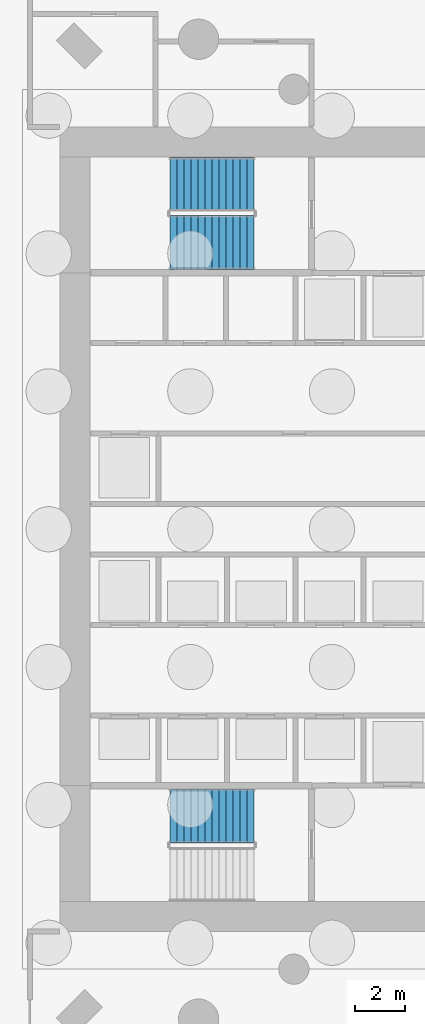
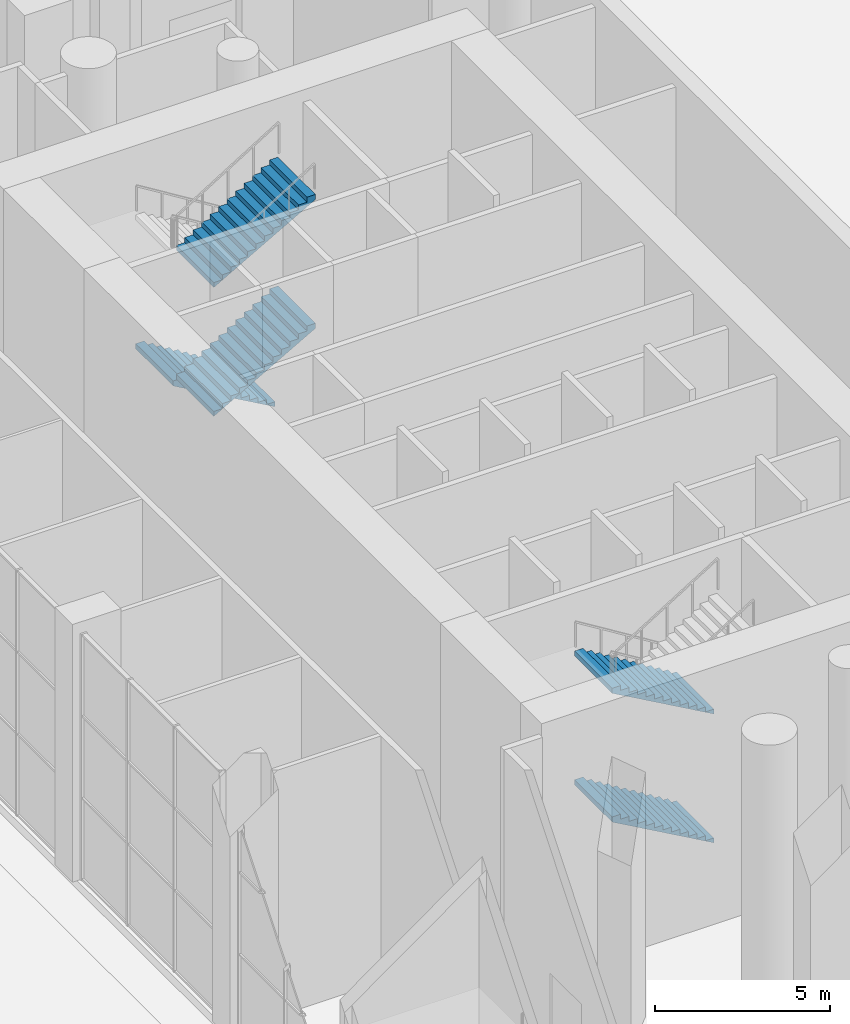
# One storey, part 16 of 25: 5 stair flights, 2 elements without a shape of their own.
"""IFC4 building model written with IfcOpenShell, lengths in metres."""

from ifc_helpers import new_model, si_unit, direction, frame, origin, place, context, subcontext, project, spatial, triangles, material, type_object, element, aggregate, save


model = new_model("IFC4")

# Units and contexts
model_context = context("Model", 3, precision=1e-05, world=origin(), true_north=direction((0.0, 1.0)))
body_context = subcontext(model_context, "Body", "Model", "MODEL_VIEW")
ifc_project = project(units=[si_unit("LENGTHUNIT", "METRE"), si_unit("AREAUNIT", "SQUARE_METRE"), si_unit("VOLUMEUNIT", "CUBIC_METRE"), si_unit("PLANEANGLEUNIT", "RADIAN"), si_unit("MASSUNIT", "GRAM", prefix="KILO")], contexts=[model_context])

# Site, building, storey
site_placement = place(None, origin())
site = spatial("IfcSite", under=ifc_project, at=site_placement, CompositionType="ELEMENT")
building_placement = place(site_placement, origin())
building = spatial("IfcBuilding", under=site, at=building_placement, Name="Cypress Arch Tower", CompositionType="ELEMENT")
storey_placement = place(building_placement, origin())
storey = spatial("IfcBuildingStorey", under=building, at=storey_placement, Name="L00", CompositionType="ELEMENT", Elevation=0.0)

# Stair, stair flights
ifc_material_1 = material(Name="Concrete C40/50", Category="concrete")
stair_type = type_object("IfcStairType", Name="Exit stair ES1731-215", PredefinedType="HALF_TURN_STAIR", material=ifc_material_1)
stair_1_placement = place(storey_placement, origin())
stair_1 = element("IfcStair", 1, at=stair_1_placement, inside=storey, type_object=stair_type, Name="L00 Exit stair A", PredefinedType="HALF_TURN_STAIR")
ifc_material_2 = material(Name="Concrete C40/50", Category="concrete")
stair_flight_type = type_object("IfcStairFlightType", Name="Exit stair flight ES1731-215", PredefinedType="STRAIGHT", material=ifc_material_2)
stair_flight_1_placement = place(storey_placement, frame((-22.27490234375, -11.39990234375, 0.0), z_axis=(0.0, 0.0, 1.0), x_axis=(-1.0, 0.0, 0.0)))
stair_flight_1 = element("IfcStairFlight", 2, at=stair_flight_1_placement, type_object=stair_flight_type, Name="A flight 1", NumberOfRisers=13, NumberOfTreads=12, PredefinedType="STRAIGHT", RiserHeight=0.173076923, TreadLength=0.28, context=body_context, shape_type="Tessellation", body=[
    triangles([(0.0, -1.074951171875, 0.0), (0.000244140625, -1.074951171875, 0.03466796875), (0.00048828125, -1.074951171875, 0.0693359375), (0.00048828125, -1.074951171875, 0.103759765625), (0.000244140625, -1.074951171875, 0.138427734375), (0.0, -1.074951171875, 0.173095703125), (0.280029296875, -1.074951171875, 0.173095703125), (0.280029296875, -1.074951171875, 0.34619140625), (0.56005859375, -1.074951171875, 0.34619140625), (0.56005859375, -1.074951171875, 0.519287109375), (0.840087890625, -1.074951171875, 0.519287109375), (0.840087890625, -1.074951171875, 0.6923828125), (1.1201171875, -1.074951171875, 0.6923828125), (1.1201171875, -1.074951171875, 0.865478515625), (1.39990234375, -1.074951171875, 0.865478515625), (1.39990234375, -1.074951171875, 1.03857421875), (1.679931640625, -1.074951171875, 1.03857421875), (1.679931640625, -1.074951171875, 1.21142578125), (1.9599609375, -1.074951171875, 1.21142578125), (1.9599609375, -1.074951171875, 1.384521484375), (2.239990234375, -1.074951171875, 1.384521484375), (2.239990234375, -1.074951171875, 1.5576171875), (2.52001953125, -1.074951171875, 1.5576171875), (2.52001953125, -1.074951171875, 1.730712890625), (2.800048828125, -1.074951171875, 1.730712890625), (2.800048828125, -1.074951171875, 1.90380859375), (3.080078125, -1.074951171875, 1.90380859375), (3.080078125, -1.074951171875, 2.076904296875), (3.360107421875, -1.074951171875, 2.076904296875), (3.35986328125, -1.074951171875, 2.041748046875), (3.359619140625, -1.074951171875, 2.00634765625), (3.359619140625, -1.074951171875, 1.97119140625), (3.35986328125, -1.074951171875, 1.935791015625), (3.360107421875, -1.074951171875, 1.900634765625), (3.360107421875, 1.074951171875, 1.900634765625), (3.35986328125, 1.074951171875, 1.935791015625), (3.359619140625, 1.074951171875, 1.97119140625), (3.359619140625, 1.074951171875, 2.00634765625), (3.35986328125, 1.074951171875, 2.041748046875), (3.360107421875, 1.074951171875, 2.076904296875), (3.080078125, 1.074951171875, 2.076904296875), (3.080078125, 1.074951171875, 1.90380859375), (2.800048828125, 1.074951171875, 1.90380859375), (2.800048828125, 1.074951171875, 1.730712890625), (2.52001953125, 1.074951171875, 1.730712890625), (2.52001953125, 1.074951171875, 1.5576171875), (2.239990234375, 1.074951171875, 1.5576171875), (2.239990234375, 1.074951171875, 1.384521484375), (1.9599609375, 1.074951171875, 1.384521484375), (1.9599609375, 1.074951171875, 1.21142578125), (1.679931640625, 1.074951171875, 1.21142578125), (1.679931640625, 1.074951171875, 1.03857421875), (1.39990234375, 1.074951171875, 1.03857421875), (1.39990234375, 1.074951171875, 0.865478515625), (1.1201171875, 1.074951171875, 0.865478515625), (1.1201171875, 1.074951171875, 0.6923828125), (0.840087890625, 1.074951171875, 0.6923828125), (0.840087890625, 1.074951171875, 0.519287109375), (0.56005859375, 1.074951171875, 0.519287109375), (0.56005859375, 1.074951171875, 0.34619140625), (0.280029296875, 1.074951171875, 0.34619140625), (0.280029296875, 1.074951171875, 0.173095703125), (0.0, 1.074951171875, 0.173095703125), (0.000244140625, 1.074951171875, 0.138427734375), (0.00048828125, 1.074951171875, 0.103759765625), (0.00048828125, 1.074951171875, 0.0693359375), (0.000244140625, 1.074951171875, 0.03466796875), (0.0, 1.074951171875, 0.0)], [[34, 33, 28], [33, 32, 28], [32, 31, 28], [31, 30, 28], [30, 29, 28], [15, 14, 13], [27, 26, 25], [25, 24, 23], [23, 22, 21], [21, 20, 19], [17, 16, 15], [13, 12, 11], [11, 10, 9], [9, 8, 7], [6, 5, 7], [5, 4, 7], [4, 3, 7], [3, 2, 7], [2, 1, 7], [19, 18, 17], [34, 28, 27], [34, 27, 25], [34, 25, 23], [34, 23, 21], [34, 21, 19], [1, 34, 19], [19, 17, 15], [19, 15, 13], [19, 13, 11], [19, 11, 9], [19, 9, 7], [19, 7, 1], [35, 41, 36], [36, 41, 37], [37, 41, 38], [38, 41, 39], [39, 41, 40], [54, 56, 55], [42, 44, 43], [44, 46, 45], [46, 48, 47], [48, 50, 49], [52, 54, 53], [56, 58, 57], [58, 60, 59], [60, 62, 61], [63, 62, 64], [64, 62, 65], [65, 62, 66], [66, 62, 67], [67, 62, 68], [50, 52, 51], [35, 42, 41], [35, 44, 42], [35, 46, 44], [35, 48, 46], [35, 50, 48], [68, 50, 35], [50, 54, 52], [50, 56, 54], [50, 58, 56], [50, 60, 58], [50, 62, 60], [50, 68, 62], [35, 36, 33], [35, 33, 34], [36, 37, 32], [36, 32, 33], [37, 38, 31], [37, 31, 32], [38, 39, 30], [38, 30, 31], [39, 40, 29], [39, 29, 30], [40, 41, 28], [40, 28, 29], [41, 42, 27], [41, 27, 28], [42, 43, 26], [42, 26, 27], [43, 44, 25], [43, 25, 26], [44, 45, 24], [44, 24, 25], [45, 46, 23], [45, 23, 24], [46, 47, 22], [46, 22, 23], [47, 48, 21], [47, 21, 22], [48, 49, 20], [48, 20, 21], [49, 50, 19], [49, 19, 20], [50, 51, 18], [50, 18, 19], [51, 52, 17], [51, 17, 18], [52, 53, 16], [52, 16, 17], [53, 54, 15], [53, 15, 16], [54, 55, 14], [54, 14, 15], [55, 56, 13], [55, 13, 14], [56, 57, 12], [56, 12, 13], [57, 58, 11], [57, 11, 12], [58, 59, 10], [58, 10, 11], [59, 60, 9], [59, 9, 10], [60, 61, 8], [60, 8, 9], [61, 62, 7], [61, 7, 8], [62, 63, 6], [62, 6, 7], [63, 64, 5], [63, 5, 6], [64, 65, 4], [64, 4, 5], [65, 66, 3], [65, 3, 4], [66, 67, 2], [66, 2, 3], [67, 68, 1], [67, 1, 2], [68, 35, 34], [68, 34, 1]], closed=True),
])
stair_flight_2_placement = place(storey_placement, frame((-22.27490234375, -11.39990234375, 4.5), z_axis=(0.0, 0.0, 1.0), x_axis=(-1.0, 0.0, 0.0)))
stair_flight_2 = element("IfcStairFlight", 3, at=stair_flight_2_placement, type_object=stair_flight_type, Name="A flight 3", NumberOfRisers=13, NumberOfTreads=12, PredefinedType="STRAIGHT", RiserHeight=0.173076923, TreadLength=0.28, context=body_context, shape_type="Tessellation", body=[
    triangles([(0.0, -1.074951171875, 0.0), (0.000244140625, -1.074951171875, 0.03466796875), (0.00048828125, -1.074951171875, 0.0693359375), (0.00048828125, -1.074951171875, 0.103759765625), (0.000244140625, -1.074951171875, 0.138427734375), (0.0, -1.074951171875, 0.173095703125), (0.280029296875, -1.074951171875, 0.173095703125), (0.280029296875, -1.074951171875, 0.34619140625), (0.56005859375, -1.074951171875, 0.34619140625), (0.56005859375, -1.074951171875, 0.519287109375), (0.840087890625, -1.074951171875, 0.519287109375), (0.840087890625, -1.074951171875, 0.6923828125), (1.1201171875, -1.074951171875, 0.6923828125), (1.1201171875, -1.074951171875, 0.865478515625), (1.39990234375, -1.074951171875, 0.865478515625), (1.39990234375, -1.074951171875, 1.03857421875), (1.679931640625, -1.074951171875, 1.03857421875), (1.679931640625, -1.074951171875, 1.21142578125), (1.9599609375, -1.074951171875, 1.21142578125), (1.9599609375, -1.074951171875, 1.384521484375), (2.239990234375, -1.074951171875, 1.384521484375), (2.239990234375, -1.074951171875, 1.5576171875), (2.52001953125, -1.074951171875, 1.5576171875), (2.52001953125, -1.074951171875, 1.730712890625), (2.800048828125, -1.074951171875, 1.730712890625), (2.800048828125, -1.074951171875, 1.90380859375), (3.080078125, -1.074951171875, 1.90380859375), (3.080078125, -1.074951171875, 2.076904296875), (3.360107421875, -1.074951171875, 2.076904296875), (3.35986328125, -1.074951171875, 2.041748046875), (3.359619140625, -1.074951171875, 2.00634765625), (3.359619140625, -1.074951171875, 1.97119140625), (3.35986328125, -1.074951171875, 1.935791015625), (3.360107421875, -1.074951171875, 1.900634765625), (3.360107421875, 1.074951171875, 1.900634765625), (3.35986328125, 1.074951171875, 1.935791015625), (3.359619140625, 1.074951171875, 1.97119140625), (3.359619140625, 1.074951171875, 2.00634765625), (3.35986328125, 1.074951171875, 2.041748046875), (3.360107421875, 1.074951171875, 2.076904296875), (3.080078125, 1.074951171875, 2.076904296875), (3.080078125, 1.074951171875, 1.90380859375), (2.800048828125, 1.074951171875, 1.90380859375), (2.800048828125, 1.074951171875, 1.730712890625), (2.52001953125, 1.074951171875, 1.730712890625), (2.52001953125, 1.074951171875, 1.5576171875), (2.239990234375, 1.074951171875, 1.5576171875), (2.239990234375, 1.074951171875, 1.384521484375), (1.9599609375, 1.074951171875, 1.384521484375), (1.9599609375, 1.074951171875, 1.21142578125), (1.679931640625, 1.074951171875, 1.21142578125), (1.679931640625, 1.074951171875, 1.03857421875), (1.39990234375, 1.074951171875, 1.03857421875), (1.39990234375, 1.074951171875, 0.865478515625), (1.1201171875, 1.074951171875, 0.865478515625), (1.1201171875, 1.074951171875, 0.6923828125), (0.840087890625, 1.074951171875, 0.6923828125), (0.840087890625, 1.074951171875, 0.519287109375), (0.56005859375, 1.074951171875, 0.519287109375), (0.56005859375, 1.074951171875, 0.34619140625), (0.280029296875, 1.074951171875, 0.34619140625), (0.280029296875, 1.074951171875, 0.173095703125), (0.0, 1.074951171875, 0.173095703125), (0.000244140625, 1.074951171875, 0.138427734375), (0.00048828125, 1.074951171875, 0.103759765625), (0.00048828125, 1.074951171875, 0.0693359375), (0.000244140625, 1.074951171875, 0.03466796875), (0.0, 1.074951171875, 0.0)], [[34, 33, 28], [33, 32, 28], [32, 31, 28], [31, 30, 28], [30, 29, 28], [15, 14, 13], [27, 26, 25], [25, 24, 23], [23, 22, 21], [21, 20, 19], [17, 16, 15], [13, 12, 11], [11, 10, 9], [9, 8, 7], [6, 5, 7], [5, 4, 7], [4, 3, 7], [3, 2, 7], [2, 1, 7], [19, 18, 17], [34, 28, 27], [34, 27, 25], [34, 25, 23], [34, 23, 21], [34, 21, 19], [1, 34, 19], [19, 17, 15], [19, 15, 13], [19, 13, 11], [19, 11, 9], [19, 9, 7], [19, 7, 1], [35, 41, 36], [36, 41, 37], [37, 41, 38], [38, 41, 39], [39, 41, 40], [54, 56, 55], [42, 44, 43], [44, 46, 45], [46, 48, 47], [48, 50, 49], [52, 54, 53], [56, 58, 57], [58, 60, 59], [60, 62, 61], [63, 62, 64], [64, 62, 65], [65, 62, 66], [66, 62, 67], [67, 62, 68], [50, 52, 51], [35, 42, 41], [35, 44, 42], [35, 46, 44], [35, 48, 46], [35, 50, 48], [68, 50, 35], [50, 54, 52], [50, 56, 54], [50, 58, 56], [50, 60, 58], [50, 62, 60], [50, 68, 62], [35, 36, 33], [35, 33, 34], [36, 37, 32], [36, 32, 33], [37, 38, 31], [37, 31, 32], [38, 39, 30], [38, 30, 31], [39, 40, 29], [39, 29, 30], [40, 41, 28], [40, 28, 29], [41, 42, 27], [41, 27, 28], [42, 43, 26], [42, 26, 27], [43, 44, 25], [43, 25, 26], [44, 45, 24], [44, 24, 25], [45, 46, 23], [45, 23, 24], [46, 47, 22], [46, 22, 23], [47, 48, 21], [47, 21, 22], [48, 49, 20], [48, 20, 21], [49, 50, 19], [49, 19, 20], [50, 51, 18], [50, 18, 19], [51, 52, 17], [51, 17, 18], [52, 53, 16], [52, 16, 17], [53, 54, 15], [53, 15, 16], [54, 55, 14], [54, 14, 15], [55, 56, 13], [55, 13, 14], [56, 57, 12], [56, 12, 13], [57, 58, 11], [57, 11, 12], [58, 59, 10], [58, 10, 11], [59, 60, 9], [59, 9, 10], [60, 61, 8], [60, 8, 9], [61, 62, 7], [61, 7, 8], [62, 63, 6], [62, 6, 7], [63, 64, 5], [63, 5, 6], [64, 65, 4], [64, 4, 5], [65, 66, 3], [65, 3, 4], [66, 67, 2], [66, 2, 3], [67, 68, 1], [67, 1, 2], [68, 35, 34], [68, 34, 1]], closed=True),
])
aggregate(stair_1, [stair_flight_1, stair_flight_2])

stair_2_placement = place(storey_placement, origin())
stair_2 = element("IfcStair", 4, at=stair_2_placement, inside=storey, type_object=stair_type, Name="L00 Exit stair B", PredefinedType="HALF_TURN_STAIR")
stair_flight_3_placement = place(storey_placement, frame((-22.27490234375, 13.72509765625, 0.0), z_axis=(0.0, 0.0, 1.0), x_axis=(-1.0, 0.0, 0.0)))
stair_flight_3 = element("IfcStairFlight", 5, at=stair_flight_3_placement, type_object=stair_flight_type, Name="B flight 1", NumberOfRisers=13, NumberOfTreads=12, PredefinedType="STRAIGHT", RiserHeight=0.173076923, TreadLength=0.28, context=body_context, shape_type="Tessellation", body=[
    triangles([(0.0, -1.074951171875, 0.0), (0.000244140625, -1.074951171875, 0.03466796875), (0.00048828125, -1.074951171875, 0.0693359375), (0.00048828125, -1.074951171875, 0.103759765625), (0.000244140625, -1.074951171875, 0.138427734375), (0.0, -1.074951171875, 0.173095703125), (0.280029296875, -1.074951171875, 0.173095703125), (0.280029296875, -1.074951171875, 0.34619140625), (0.56005859375, -1.074951171875, 0.34619140625), (0.56005859375, -1.074951171875, 0.519287109375), (0.840087890625, -1.074951171875, 0.519287109375), (0.840087890625, -1.074951171875, 0.6923828125), (1.1201171875, -1.074951171875, 0.6923828125), (1.1201171875, -1.074951171875, 0.865478515625), (1.39990234375, -1.074951171875, 0.865478515625), (1.39990234375, -1.074951171875, 1.03857421875), (1.679931640625, -1.074951171875, 1.03857421875), (1.679931640625, -1.074951171875, 1.21142578125), (1.9599609375, -1.074951171875, 1.21142578125), (1.9599609375, -1.074951171875, 1.384521484375), (2.239990234375, -1.074951171875, 1.384521484375), (2.239990234375, -1.074951171875, 1.5576171875), (2.52001953125, -1.074951171875, 1.5576171875), (2.52001953125, -1.074951171875, 1.730712890625), (2.800048828125, -1.074951171875, 1.730712890625), (2.800048828125, -1.074951171875, 1.90380859375), (3.080078125, -1.074951171875, 1.90380859375), (3.080078125, -1.074951171875, 2.076904296875), (3.360107421875, -1.074951171875, 2.076904296875), (3.35986328125, -1.074951171875, 2.041748046875), (3.359619140625, -1.074951171875, 2.00634765625), (3.359619140625, -1.074951171875, 1.97119140625), (3.35986328125, -1.074951171875, 1.935791015625), (3.360107421875, -1.074951171875, 1.900634765625), (3.360107421875, 1.074951171875, 1.900634765625), (3.35986328125, 1.074951171875, 1.935791015625), (3.359619140625, 1.074951171875, 1.97119140625), (3.359619140625, 1.074951171875, 2.00634765625), (3.35986328125, 1.074951171875, 2.041748046875), (3.360107421875, 1.074951171875, 2.076904296875), (3.080078125, 1.074951171875, 2.076904296875), (3.080078125, 1.074951171875, 1.90380859375), (2.800048828125, 1.074951171875, 1.90380859375), (2.800048828125, 1.074951171875, 1.730712890625), (2.52001953125, 1.074951171875, 1.730712890625), (2.52001953125, 1.074951171875, 1.5576171875), (2.239990234375, 1.074951171875, 1.5576171875), (2.239990234375, 1.074951171875, 1.384521484375), (1.9599609375, 1.074951171875, 1.384521484375), (1.9599609375, 1.074951171875, 1.21142578125), (1.679931640625, 1.074951171875, 1.21142578125), (1.679931640625, 1.074951171875, 1.03857421875), (1.39990234375, 1.074951171875, 1.03857421875), (1.39990234375, 1.074951171875, 0.865478515625), (1.1201171875, 1.074951171875, 0.865478515625), (1.1201171875, 1.074951171875, 0.6923828125), (0.840087890625, 1.074951171875, 0.6923828125), (0.840087890625, 1.074951171875, 0.519287109375), (0.56005859375, 1.074951171875, 0.519287109375), (0.56005859375, 1.074951171875, 0.34619140625), (0.280029296875, 1.074951171875, 0.34619140625), (0.280029296875, 1.074951171875, 0.173095703125), (0.0, 1.074951171875, 0.173095703125), (0.000244140625, 1.074951171875, 0.138427734375), (0.00048828125, 1.074951171875, 0.103759765625), (0.00048828125, 1.074951171875, 0.0693359375), (0.000244140625, 1.074951171875, 0.03466796875), (0.0, 1.074951171875, 0.0)], [[34, 33, 28], [33, 32, 28], [32, 31, 28], [31, 30, 28], [30, 29, 28], [15, 14, 13], [27, 26, 25], [25, 24, 23], [23, 22, 21], [21, 20, 19], [17, 16, 15], [13, 12, 11], [11, 10, 9], [9, 8, 7], [6, 5, 7], [5, 4, 7], [4, 3, 7], [3, 2, 7], [2, 1, 7], [19, 18, 17], [34, 28, 27], [34, 27, 25], [34, 25, 23], [34, 23, 21], [34, 21, 19], [1, 34, 19], [19, 17, 15], [19, 15, 13], [19, 13, 11], [19, 11, 9], [19, 9, 7], [19, 7, 1], [35, 41, 36], [36, 41, 37], [37, 41, 38], [38, 41, 39], [39, 41, 40], [54, 56, 55], [42, 44, 43], [44, 46, 45], [46, 48, 47], [48, 50, 49], [52, 54, 53], [56, 58, 57], [58, 60, 59], [60, 62, 61], [63, 62, 64], [64, 62, 65], [65, 62, 66], [66, 62, 67], [67, 62, 68], [50, 52, 51], [35, 42, 41], [35, 44, 42], [35, 46, 44], [35, 48, 46], [35, 50, 48], [68, 50, 35], [50, 54, 52], [50, 56, 54], [50, 58, 56], [50, 60, 58], [50, 62, 60], [50, 68, 62], [35, 36, 33], [35, 33, 34], [36, 37, 32], [36, 32, 33], [37, 38, 31], [37, 31, 32], [38, 39, 30], [38, 30, 31], [39, 40, 29], [39, 29, 30], [40, 41, 28], [40, 28, 29], [41, 42, 27], [41, 27, 28], [42, 43, 26], [42, 26, 27], [43, 44, 25], [43, 25, 26], [44, 45, 24], [44, 24, 25], [45, 46, 23], [45, 23, 24], [46, 47, 22], [46, 22, 23], [47, 48, 21], [47, 21, 22], [48, 49, 20], [48, 20, 21], [49, 50, 19], [49, 19, 20], [50, 51, 18], [50, 18, 19], [51, 52, 17], [51, 17, 18], [52, 53, 16], [52, 16, 17], [53, 54, 15], [53, 15, 16], [54, 55, 14], [54, 14, 15], [55, 56, 13], [55, 13, 14], [56, 57, 12], [56, 12, 13], [57, 58, 11], [57, 11, 12], [58, 59, 10], [58, 10, 11], [59, 60, 9], [59, 9, 10], [60, 61, 8], [60, 8, 9], [61, 62, 7], [61, 7, 8], [62, 63, 6], [62, 6, 7], [63, 64, 5], [63, 5, 6], [64, 65, 4], [64, 4, 5], [65, 66, 3], [65, 3, 4], [66, 67, 2], [66, 2, 3], [67, 68, 1], [67, 1, 2], [68, 35, 34], [68, 34, 1]], closed=True),
])
stair_flight_4_placement = place(storey_placement, frame((-25.635009765625, 11.39990234375, 2.25), z_axis=(0.0, 0.0, 1.0), x_axis=(1.0, 0.0, 0.0)))
stair_flight_4 = element("IfcStairFlight", 6, at=stair_flight_4_placement, type_object=stair_flight_type, Name="B flight 2", NumberOfRisers=13, NumberOfTreads=12, PredefinedType="STRAIGHT", RiserHeight=0.173076923, TreadLength=0.28, context=body_context, shape_type="Tessellation", body=[
    triangles([(0.0, -1.074951171875, 0.0), (0.000244140625, -1.074951171875, 0.03466796875), (0.00048828125, -1.074951171875, 0.0693359375), (0.00048828125, -1.074951171875, 0.103759765625), (0.000244140625, -1.074951171875, 0.138427734375), (0.0, -1.074951171875, 0.173095703125), (0.280029296875, -1.074951171875, 0.173095703125), (0.280029296875, -1.074951171875, 0.34619140625), (0.56005859375, -1.074951171875, 0.34619140625), (0.56005859375, -1.074951171875, 0.519287109375), (0.840087890625, -1.074951171875, 0.519287109375), (0.840087890625, -1.074951171875, 0.6923828125), (1.1201171875, -1.074951171875, 0.6923828125), (1.1201171875, -1.074951171875, 0.865478515625), (1.39990234375, -1.074951171875, 0.865478515625), (1.39990234375, -1.074951171875, 1.03857421875), (1.679931640625, -1.074951171875, 1.03857421875), (1.679931640625, -1.074951171875, 1.21142578125), (1.9599609375, -1.074951171875, 1.21142578125), (1.9599609375, -1.074951171875, 1.384521484375), (2.239990234375, -1.074951171875, 1.384521484375), (2.239990234375, -1.074951171875, 1.5576171875), (2.52001953125, -1.074951171875, 1.5576171875), (2.52001953125, -1.074951171875, 1.730712890625), (2.800048828125, -1.074951171875, 1.730712890625), (2.800048828125, -1.074951171875, 1.90380859375), (3.080078125, -1.074951171875, 1.90380859375), (3.080078125, -1.074951171875, 2.076904296875), (3.360107421875, -1.074951171875, 2.076904296875), (3.35986328125, -1.074951171875, 2.041748046875), (3.359619140625, -1.074951171875, 2.00634765625), (3.359619140625, -1.074951171875, 1.97119140625), (3.35986328125, -1.074951171875, 1.935791015625), (3.360107421875, -1.074951171875, 1.900634765625), (3.360107421875, 1.074951171875, 1.900634765625), (3.35986328125, 1.074951171875, 1.935791015625), (3.359619140625, 1.074951171875, 1.97119140625), (3.359619140625, 1.074951171875, 2.00634765625), (3.35986328125, 1.074951171875, 2.041748046875), (3.360107421875, 1.074951171875, 2.076904296875), (3.080078125, 1.074951171875, 2.076904296875), (3.080078125, 1.074951171875, 1.90380859375), (2.800048828125, 1.074951171875, 1.90380859375), (2.800048828125, 1.074951171875, 1.730712890625), (2.52001953125, 1.074951171875, 1.730712890625), (2.52001953125, 1.074951171875, 1.5576171875), (2.239990234375, 1.074951171875, 1.5576171875), (2.239990234375, 1.074951171875, 1.384521484375), (1.9599609375, 1.074951171875, 1.384521484375), (1.9599609375, 1.074951171875, 1.21142578125), (1.679931640625, 1.074951171875, 1.21142578125), (1.679931640625, 1.074951171875, 1.03857421875), (1.39990234375, 1.074951171875, 1.03857421875), (1.39990234375, 1.074951171875, 0.865478515625), (1.1201171875, 1.074951171875, 0.865478515625), (1.1201171875, 1.074951171875, 0.6923828125), (0.840087890625, 1.074951171875, 0.6923828125), (0.840087890625, 1.074951171875, 0.519287109375), (0.56005859375, 1.074951171875, 0.519287109375), (0.56005859375, 1.074951171875, 0.34619140625), (0.280029296875, 1.074951171875, 0.34619140625), (0.280029296875, 1.074951171875, 0.173095703125), (0.0, 1.074951171875, 0.173095703125), (0.000244140625, 1.074951171875, 0.138427734375), (0.00048828125, 1.074951171875, 0.103759765625), (0.00048828125, 1.074951171875, 0.0693359375), (0.000244140625, 1.074951171875, 0.03466796875), (0.0, 1.074951171875, 0.0)], [[34, 33, 28], [33, 32, 28], [32, 31, 28], [31, 30, 28], [30, 29, 28], [15, 14, 13], [27, 26, 25], [25, 24, 23], [23, 22, 21], [21, 20, 19], [17, 16, 15], [13, 12, 11], [11, 10, 9], [9, 8, 7], [6, 5, 7], [5, 4, 7], [4, 3, 7], [3, 2, 7], [2, 1, 7], [19, 18, 17], [34, 28, 27], [34, 27, 25], [34, 25, 23], [34, 23, 21], [34, 21, 19], [1, 34, 19], [19, 17, 15], [19, 15, 13], [19, 13, 11], [19, 11, 9], [19, 9, 7], [19, 7, 1], [35, 41, 36], [36, 41, 37], [37, 41, 38], [38, 41, 39], [39, 41, 40], [54, 56, 55], [42, 44, 43], [44, 46, 45], [46, 48, 47], [48, 50, 49], [52, 54, 53], [56, 58, 57], [58, 60, 59], [60, 62, 61], [63, 62, 64], [64, 62, 65], [65, 62, 66], [66, 62, 67], [67, 62, 68], [50, 52, 51], [35, 42, 41], [35, 44, 42], [35, 46, 44], [35, 48, 46], [35, 50, 48], [68, 50, 35], [50, 54, 52], [50, 56, 54], [50, 58, 56], [50, 60, 58], [50, 62, 60], [50, 68, 62], [35, 36, 33], [35, 33, 34], [36, 37, 32], [36, 32, 33], [37, 38, 31], [37, 31, 32], [38, 39, 30], [38, 30, 31], [39, 40, 29], [39, 29, 30], [40, 41, 28], [40, 28, 29], [41, 42, 27], [41, 27, 28], [42, 43, 26], [42, 26, 27], [43, 44, 25], [43, 25, 26], [44, 45, 24], [44, 24, 25], [45, 46, 23], [45, 23, 24], [46, 47, 22], [46, 22, 23], [47, 48, 21], [47, 21, 22], [48, 49, 20], [48, 20, 21], [49, 50, 19], [49, 19, 20], [50, 51, 18], [50, 18, 19], [51, 52, 17], [51, 17, 18], [52, 53, 16], [52, 16, 17], [53, 54, 15], [53, 15, 16], [54, 55, 14], [54, 14, 15], [55, 56, 13], [55, 13, 14], [56, 57, 12], [56, 12, 13], [57, 58, 11], [57, 11, 12], [58, 59, 10], [58, 10, 11], [59, 60, 9], [59, 9, 10], [60, 61, 8], [60, 8, 9], [61, 62, 7], [61, 7, 8], [62, 63, 6], [62, 6, 7], [63, 64, 5], [63, 5, 6], [64, 65, 4], [64, 4, 5], [65, 66, 3], [65, 3, 4], [66, 67, 2], [66, 2, 3], [67, 68, 1], [67, 1, 2], [68, 35, 34], [68, 34, 1]], closed=True),
])
stair_flight_5_placement = place(storey_placement, frame((-25.635009765625, 11.39990234375, 6.75), z_axis=(0.0, 0.0, 1.0), x_axis=(1.0, 0.0, 0.0)))
stair_flight_5 = element("IfcStairFlight", 7, at=stair_flight_5_placement, type_object=stair_flight_type, Name="B flight 4", NumberOfRisers=13, NumberOfTreads=12, PredefinedType="STRAIGHT", RiserHeight=0.173076923, TreadLength=0.28, context=body_context, shape_type="Tessellation", body=[
    triangles([(0.0, -1.074951171875, 0.0), (0.000244140625, -1.074951171875, 0.03466796875), (0.00048828125, -1.074951171875, 0.0693359375), (0.00048828125, -1.074951171875, 0.103759765625), (0.000244140625, -1.074951171875, 0.138427734375), (0.0, -1.074951171875, 0.173095703125), (0.280029296875, -1.074951171875, 0.173095703125), (0.280029296875, -1.074951171875, 0.34619140625), (0.56005859375, -1.074951171875, 0.34619140625), (0.56005859375, -1.074951171875, 0.519287109375), (0.840087890625, -1.074951171875, 0.519287109375), (0.840087890625, -1.074951171875, 0.6923828125), (1.1201171875, -1.074951171875, 0.6923828125), (1.1201171875, -1.074951171875, 0.865478515625), (1.39990234375, -1.074951171875, 0.865478515625), (1.39990234375, -1.074951171875, 1.03857421875), (1.679931640625, -1.074951171875, 1.03857421875), (1.679931640625, -1.074951171875, 1.21142578125), (1.9599609375, -1.074951171875, 1.21142578125), (1.9599609375, -1.074951171875, 1.384521484375), (2.239990234375, -1.074951171875, 1.384521484375), (2.239990234375, -1.074951171875, 1.5576171875), (2.52001953125, -1.074951171875, 1.5576171875), (2.52001953125, -1.074951171875, 1.730712890625), (2.800048828125, -1.074951171875, 1.730712890625), (2.800048828125, -1.074951171875, 1.90380859375), (3.080078125, -1.074951171875, 1.90380859375), (3.080078125, -1.074951171875, 2.076904296875), (3.360107421875, -1.074951171875, 2.076904296875), (3.35986328125, -1.074951171875, 2.041748046875), (3.359619140625, -1.074951171875, 2.00634765625), (3.359619140625, -1.074951171875, 1.97119140625), (3.35986328125, -1.074951171875, 1.935791015625), (3.360107421875, -1.074951171875, 1.900634765625), (3.360107421875, 1.074951171875, 1.900634765625), (3.35986328125, 1.074951171875, 1.935791015625), (3.359619140625, 1.074951171875, 1.97119140625), (3.359619140625, 1.074951171875, 2.00634765625), (3.35986328125, 1.074951171875, 2.041748046875), (3.360107421875, 1.074951171875, 2.076904296875), (3.080078125, 1.074951171875, 2.076904296875), (3.080078125, 1.074951171875, 1.90380859375), (2.800048828125, 1.074951171875, 1.90380859375), (2.800048828125, 1.074951171875, 1.730712890625), (2.52001953125, 1.074951171875, 1.730712890625), (2.52001953125, 1.074951171875, 1.5576171875), (2.239990234375, 1.074951171875, 1.5576171875), (2.239990234375, 1.074951171875, 1.384521484375), (1.9599609375, 1.074951171875, 1.384521484375), (1.9599609375, 1.074951171875, 1.21142578125), (1.679931640625, 1.074951171875, 1.21142578125), (1.679931640625, 1.074951171875, 1.03857421875), (1.39990234375, 1.074951171875, 1.03857421875), (1.39990234375, 1.074951171875, 0.865478515625), (1.1201171875, 1.074951171875, 0.865478515625), (1.1201171875, 1.074951171875, 0.6923828125), (0.840087890625, 1.074951171875, 0.6923828125), (0.840087890625, 1.074951171875, 0.519287109375), (0.56005859375, 1.074951171875, 0.519287109375), (0.56005859375, 1.074951171875, 0.34619140625), (0.280029296875, 1.074951171875, 0.34619140625), (0.280029296875, 1.074951171875, 0.173095703125), (0.0, 1.074951171875, 0.173095703125), (0.000244140625, 1.074951171875, 0.138427734375), (0.00048828125, 1.074951171875, 0.103759765625), (0.00048828125, 1.074951171875, 0.0693359375), (0.000244140625, 1.074951171875, 0.03466796875), (0.0, 1.074951171875, 0.0)], [[34, 33, 28], [33, 32, 28], [32, 31, 28], [31, 30, 28], [30, 29, 28], [15, 14, 13], [27, 26, 25], [25, 24, 23], [23, 22, 21], [21, 20, 19], [17, 16, 15], [13, 12, 11], [11, 10, 9], [9, 8, 7], [6, 5, 7], [5, 4, 7], [4, 3, 7], [3, 2, 7], [2, 1, 7], [19, 18, 17], [34, 28, 27], [34, 27, 25], [34, 25, 23], [34, 23, 21], [34, 21, 19], [1, 34, 19], [19, 17, 15], [19, 15, 13], [19, 13, 11], [19, 11, 9], [19, 9, 7], [19, 7, 1], [35, 41, 36], [36, 41, 37], [37, 41, 38], [38, 41, 39], [39, 41, 40], [54, 56, 55], [42, 44, 43], [44, 46, 45], [46, 48, 47], [48, 50, 49], [52, 54, 53], [56, 58, 57], [58, 60, 59], [60, 62, 61], [63, 62, 64], [64, 62, 65], [65, 62, 66], [66, 62, 67], [67, 62, 68], [50, 52, 51], [35, 42, 41], [35, 44, 42], [35, 46, 44], [35, 48, 46], [35, 50, 48], [68, 50, 35], [50, 54, 52], [50, 56, 54], [50, 58, 56], [50, 60, 58], [50, 62, 60], [50, 68, 62], [35, 36, 33], [35, 33, 34], [36, 37, 32], [36, 32, 33], [37, 38, 31], [37, 31, 32], [38, 39, 30], [38, 30, 31], [39, 40, 29], [39, 29, 30], [40, 41, 28], [40, 28, 29], [41, 42, 27], [41, 27, 28], [42, 43, 26], [42, 26, 27], [43, 44, 25], [43, 25, 26], [44, 45, 24], [44, 24, 25], [45, 46, 23], [45, 23, 24], [46, 47, 22], [46, 22, 23], [47, 48, 21], [47, 21, 22], [48, 49, 20], [48, 20, 21], [49, 50, 19], [49, 19, 20], [50, 51, 18], [50, 18, 19], [51, 52, 17], [51, 17, 18], [52, 53, 16], [52, 16, 17], [53, 54, 15], [53, 15, 16], [54, 55, 14], [54, 14, 15], [55, 56, 13], [55, 13, 14], [56, 57, 12], [56, 12, 13], [57, 58, 11], [57, 11, 12], [58, 59, 10], [58, 10, 11], [59, 60, 9], [59, 9, 10], [60, 61, 8], [60, 8, 9], [61, 62, 7], [61, 7, 8], [62, 63, 6], [62, 6, 7], [63, 64, 5], [63, 5, 6], [64, 65, 4], [64, 4, 5], [65, 66, 3], [65, 3, 4], [66, 67, 2], [66, 2, 3], [67, 68, 1], [67, 1, 2], [68, 35, 34], [68, 34, 1]], closed=True),
])
aggregate(stair_2, [stair_flight_3, stair_flight_4, stair_flight_5])

save(model, "model.ifc")
